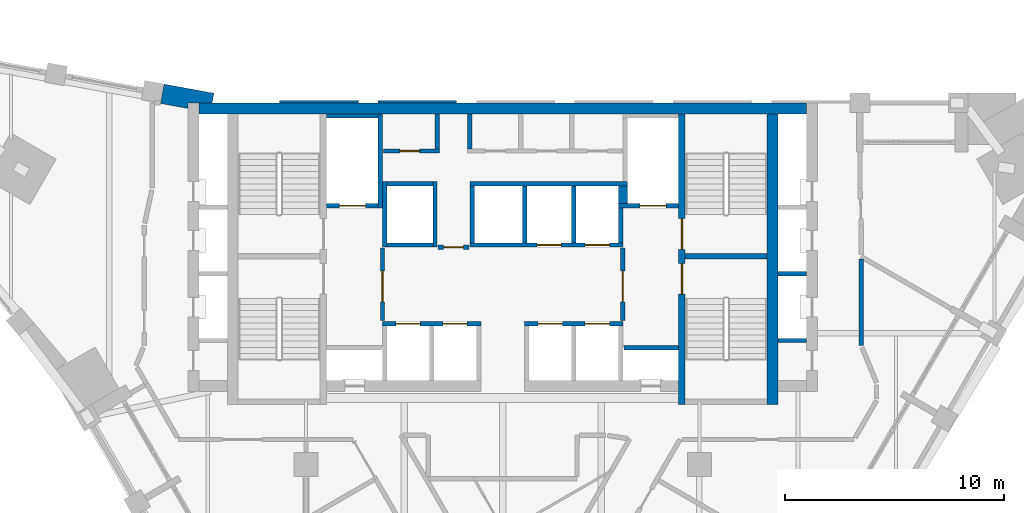
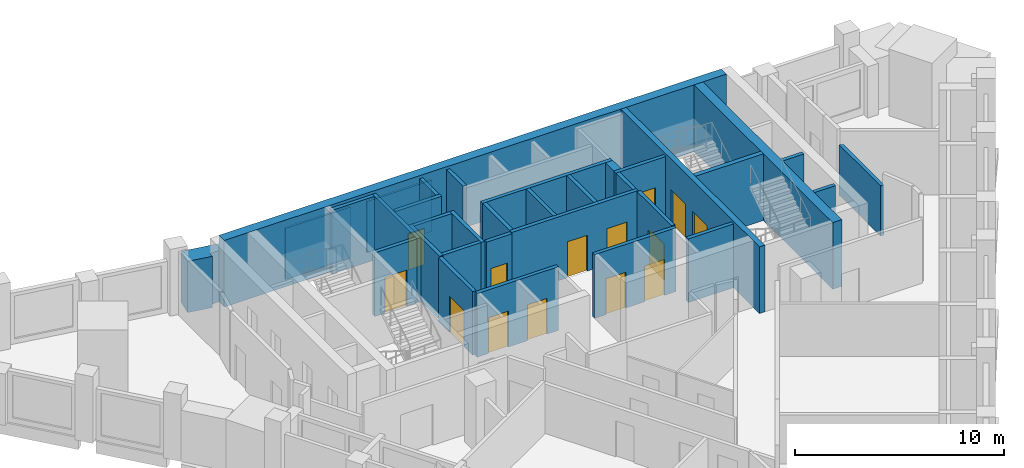
# One storey, part 6 of 9: 34 walls, 14 doors, 14 openings.
"""IFC4 building model written with IfcOpenShell, lengths in metres."""

from ifc_helpers import new_model, si_unit, direction, frame, frame_2d, origin, place, context, subcontext, project, spatial, polyline, rectangle, outline, extrude, material, layer, layer_set, type_object, element, fill, save


model = new_model("IFC4")

# Units and contexts
model_context = context("Model", 3, precision=1e-05, world=origin(), true_north=direction((0.0, 1.0)))
body_context = subcontext(model_context, "Body", "Model", "MODEL_VIEW")
ifc_project = project(units=[si_unit("LENGTHUNIT", "METRE"), si_unit("AREAUNIT", "SQUARE_METRE"), si_unit("VOLUMEUNIT", "CUBIC_METRE"), si_unit("PLANEANGLEUNIT", "RADIAN"), si_unit("MASSUNIT", "GRAM", prefix="KILO")], contexts=[model_context])

# Site, building, storey
site_placement = place(None, origin())
site = spatial("IfcSite", under=ifc_project, at=site_placement, CompositionType="ELEMENT")
building_placement = place(site_placement, origin())
building = spatial("IfcBuilding", under=site, at=building_placement, Name="Calabash Gate Tower", CompositionType="ELEMENT")
storey_placement = place(building_placement, frame((0.0, 0.0, 227.60009765625)))
storey = spatial("IfcBuildingStorey", under=building, at=storey_placement, Name="L54", CompositionType="ELEMENT", Elevation=227.60009765625)

# Walls
ifc_material_1 = material(Name="Terracotta brick masonry, exposed face", Category="masonry")
ifc_layer_1 = layer(ifc_material_1, 0.89990234375)
ifc_layer_set_1 = layer_set([ifc_layer_1], Name="Brick end wall 900")
wall_type_1 = type_object("IfcWallType", Name="Brick end wall 900", PredefinedType="SOLIDWALL", material=ifc_layer_set_1)
wall_1_placement = place(storey_placement, origin())
element("IfcWall", 1, at=wall_1_placement, inside=storey, type_object=wall_type_1, Name="Brick end wall S15 1", PredefinedType="SOLIDWALL", context=body_context, shape_type="SweptSolid", body=[
    extrude(outline(polyline([(-15.651611328125, 19.02734375), (-15.65185546875, 19.027099609375), (-14.39990234375, 18.798095703125), (-14.39990234375, 19.052490234375), (-13.291015625, 19.052490234375), (-13.2099609375, 19.4951171875), (-15.489501953125, 19.912353515625), (-15.6513671875, 19.02734375), (-15.651611328125, 19.02734375)])), origin(), (0.0, 0.0, 1.0), 3.0),
])
ifc_material_2 = material(Name="Gypsum board on steel studs, mineral wool", Category="steel")
ifc_layer_2 = layer(ifc_material_2, 0.199951171875)
ifc_layer_set_2 = layer_set([ifc_layer_2], Name="Core partition 200 gypsum board")
wall_type_2 = type_object("IfcWallType", Name="Core partition 200 gypsum board", PredefinedType="PARTITIONING", material=ifc_layer_set_2)
for number, where, z_axis, x_axis, name in (
    (2, (-3.0, 16.95263671875, 0.0), (0.0, 0.0, 1.0), (0.0, 1.0, 0.0), "Core partition"),
    (3, (-1.5, 16.95263671875, 0.0), (0.0, 0.0, 1.0), (0.0, 1.0, 0.0), "Core partition"),
):
    element("IfcWall", number, at=place(storey_placement, frame(where, z_axis=z_axis, x_axis=x_axis)), inside=storey, type_object=wall_type_2, Name=name, PredefinedType="PARTITIONING", context=body_context, shape_type="SweptSolid", body=[
        extrude(rectangle(XDim=1.599853515625, YDim=0.199951171875, at=frame_2d((0.7998046875, 0.0))), origin(), (0.0, 0.0, 1.0), 3.72998046875),
    ])
ifc_material_3 = material(Name="Concrete C70/85", Category="concrete")
ifc_layer_3 = layer(ifc_material_3, 0.25)
ifc_layer_set_3 = layer_set([ifc_layer_3], Name="Core wall 250 Concrete C70/85")
wall_type_3 = type_object("IfcWallType", Name="Core wall 250 Concrete C70/85", PredefinedType="SHEAR", material=ifc_layer_set_3)
wall_2_placement = place(storey_placement, frame((8.35009765625, 12.027587890625, 0.0), z_axis=(0.0, 0.0, 1.0), x_axis=(1.0, 0.0, 0.0)))
element("IfcWall", 4, at=wall_2_placement, inside=storey, type_object=wall_type_3, Name="Core wall Z4-MIDE L54", PredefinedType="SHEAR", context=body_context, shape_type="SweptSolid", body=[
    extrude(rectangle(XDim=3.75, YDim=0.25, at=frame_2d((1.875, 0.0))), origin(), (0.0, 0.0, 1.0), 3.89990234375),
])

# Wall, openings, doors
ifc_material_4 = material(Name="Concrete C70/85", Category="concrete")
ifc_layer_4 = layer(ifc_material_4, 0.300048828125)
ifc_layer_set_4 = layer_set([ifc_layer_4], Name="Core wall 300 Concrete C70/85")
wall_type_4 = type_object("IfcWallType", Name="Core wall 300 Concrete C70/85", PredefinedType="SHEAR", material=ifc_layer_set_4)
wall_3_placement = place(storey_placement, frame((8.199951171875, 5.252685546875, 0.0), z_axis=(0.0, 0.0, 1.0), x_axis=(0.0, 1.0, 0.0)))
wall_3 = element("IfcWall", 5, at=wall_3_placement, inside=storey, type_object=wall_type_4, Name="Core wall Z4-PARTE L54", PredefinedType="SHEAR", context=body_context, shape_type="SweptSolid", body=[
    extrude(rectangle(XDim=13.2998046875, YDim=0.300048828125, at=frame_2d((6.64990234375, 0.0))), origin(), (0.0, 0.0, 1.0), 3.89990234375),
])
opening_1_placement = place(wall_3_placement, frame((7.10009765625, 0.0, 0.0)))
opening_1 = element("IfcOpeningElement", 6, at=opening_1_placement, cuts=wall_3, Name="Opening O7-020", PredefinedType="OPENING", context=body_context, shape_type="SweptSolid", body=[
    extrude(rectangle(XDim=1.39990234375, YDim=2.10009765625, at=frame_2d((0.699951171875, 1.050048828125))), frame((0.0, 0.159912109375, 0.0), z_axis=(0.0, -1.0, 0.0), x_axis=(1.0, 0.0, 0.0)), (0.0, 0.0, 1.0), 0.320068359375),
])
opening_2_placement = place(wall_3_placement, frame((5.050048828125, 0.0, 0.0)))
opening_2 = element("IfcOpeningElement", 7, at=opening_2_placement, cuts=wall_3, Name="Opening O7-021", PredefinedType="OPENING", context=body_context, shape_type="SweptSolid", body=[
    extrude(rectangle(XDim=1.39990234375, YDim=2.10009765625, at=frame_2d((0.699951171875, 1.050048828125))), frame((0.0, 0.159912109375, 0.0), z_axis=(0.0, -1.0, 0.0), x_axis=(1.0, 0.0, 0.0)), (0.0, 0.0, 1.0), 0.320068359375),
])
ifc_material_5 = material(Name="Steel fire door set with fire-resisting glazing", Category="steel")
door_type_1 = type_object("IfcDoorType", Name="Fire door D05 1400x2100 FD90", OperationType="NOTDEFINED", PredefinedType="DOOR", material=ifc_material_5)
door_1_placement = place(opening_1_placement, origin())
door_1 = element("IfcDoor", 8, at=door_1_placement, inside=storey, type_object=door_type_1, Name="Exit stair door ST3", OperationType="SINGLE_SWING_RIGHT", OverallHeight=2.10009765625, OverallWidth=1.39990234375, PredefinedType="DOOR", context=body_context, shape_type="SweptSolid", body=[
    extrude(rectangle(XDim=1.39990234375, YDim=2.10009765625, at=frame_2d((0.699951171875, 1.050048828125))), frame((0.0, 0.02490234375, 0.0), z_axis=(0.0, -1.0, 0.0), x_axis=(1.0, 0.0, 0.0)), (0.0, 0.0, 1.0), 0.050048828125),
])
fill(opening_1, door_1)
door_2_placement = place(opening_2_placement, origin())
door_2 = element("IfcDoor", 9, at=door_2_placement, inside=storey, type_object=door_type_1, Name="Exit stair door ST4", OperationType="SINGLE_SWING_LEFT", OverallHeight=2.10009765625, OverallWidth=1.39990234375, PredefinedType="DOOR", context=body_context, shape_type="SweptSolid", body=[
    extrude(rectangle(XDim=1.39990234375, YDim=2.10009765625, at=frame_2d((0.699951171875, 1.050048828125))), frame((0.0, 0.02490234375, 0.0), z_axis=(0.0, -1.0, 0.0), x_axis=(1.0, 0.0, 0.0)), (0.0, 0.0, 1.0), 0.050048828125),
])
fill(opening_2, door_2)

# Walls
ifc_material_6 = material(Name="Concrete C70/85", Category="concrete")
ifc_layer_5 = layer(ifc_material_6, 0.5)
ifc_layer_set_5 = layer_set([ifc_layer_5], Name="Core wall 500 Concrete C70/85")
wall_type_5 = type_object("IfcWallType", Name="Core wall 500 Concrete C70/85", PredefinedType="SHEAR", material=ifc_layer_set_5)
wall_4_placement = place(storey_placement, frame((-13.89990234375, 18.802490234375, 0.0), z_axis=(0.0, 0.0, 1.0), x_axis=(1.0, 0.0, 0.0)))
element("IfcWall", 10, at=wall_4_placement, inside=storey, type_object=wall_type_5, Name="Core wall Z4-N L54", PredefinedType="SHEAR", context=body_context, shape_type="SweptSolid", body=[
    extrude(rectangle(XDim=27.7998046875, YDim=0.5, at=frame_2d((13.89990234375, 0.0))), origin(), (0.0, 0.0, 1.0), 3.89990234375),
])
wall_5_placement = place(storey_placement, frame((12.35009765625, 5.252685546875, 0.0), z_axis=(0.0, 0.0, 1.0), x_axis=(0.0, 1.0, 0.0)))
element("IfcWall", 11, at=wall_5_placement, inside=storey, type_object=wall_type_5, Name="Core wall Z4-COLE L54", PredefinedType="SHEAR", context=body_context, shape_type="SweptSolid", body=[
    extrude(rectangle(XDim=13.2998046875, YDim=0.5, at=frame_2d((6.64990234375, 0.0))), origin(), (0.0, 0.0, 1.0), 3.89990234375),
])
ifc_material_7 = material(Name="Gypsum board on steel studs, mineral wool", Category="steel")
ifc_layer_6 = layer(ifc_material_7, 0.199951171875)
ifc_layer_set_6 = layer_set([ifc_layer_6], Name="Partition 200 gypsum board EI 60")
wall_type_6 = type_object("IfcWallType", Name="Partition 200 gypsum board EI 60", PredefinedType="PARTITIONING", material=ifc_layer_set_6)
wall_6_placement = place(storey_placement, frame((16.400390625, 7.95263671875, 0.0), z_axis=(0.0, 0.0, 1.0), x_axis=(0.00043151272, 0.999999906898, 0.0)))
element("IfcWall", 12, at=wall_6_placement, inside=storey, type_object=wall_type_6, Name="Partition", PredefinedType="PARTITIONING", context=body_context, shape_type="SweptSolid", body=[
    extrude(rectangle(XDim=3.96044921875, YDim=0.199951171875, at=frame_2d((1.980224609375, 0.0))), origin(), (0.0, 0.0, 1.0), 2.949951171875),
])
ifc_material_8 = material(Name="Concrete C40/50", Category="concrete")
ifc_layer_7 = layer(ifc_material_8, 0.199951171875)
ifc_layer_set_7 = layer_set([ifc_layer_7], Name="Shaft wall 200 Concrete C40/50")
wall_type_7 = type_object("IfcWallType", Name="Shaft wall 200 Concrete C40/50", PredefinedType="SOLIDWALL", material=ifc_layer_set_7)
wall_7_placement = place(storey_placement, frame((5.550048828125, 7.8525390625, 0.0), z_axis=(0.0, 0.0, 1.0), x_axis=(1.0, 0.0, 0.0)))
element("IfcWall", 13, at=wall_7_placement, inside=storey, type_object=wall_type_7, Name="Shaft wall", PredefinedType="SOLIDWALL", context=body_context, shape_type="SweptSolid", body=[
    extrude(rectangle(XDim=2.5, YDim=0.199951171875, at=frame_2d((1.25, 0.0))), origin(), (0.0, 0.0, 1.0), 3.72998046875),
])
wall_8_placement = place(storey_placement, frame((12.60009765625, 8.1826171875, 0.0), z_axis=(0.0, 0.0, 1.0), x_axis=(1.0, 0.0, 0.0)))
element("IfcWall", 14, at=wall_8_placement, inside=storey, type_object=wall_type_7, Name="Shaft wall", PredefinedType="SOLIDWALL", context=body_context, shape_type="SweptSolid", body=[
    extrude(rectangle(XDim=1.2998046875, YDim=0.199951171875, at=frame_2d((0.64990234375, 0.0))), origin(), (0.0, 0.0, 1.0), 3.72998046875),
])

# Wall, openings, doors
wall_9_placement = place(storey_placement, frame((-5.5, 8.95263671875, 0.0), z_axis=(0.0, 0.0, 1.0), x_axis=(1.0, 0.0, 0.0)))
wall_9 = element("IfcWall", 15, at=wall_9_placement, inside=storey, type_object=wall_type_7, Name="Shaft wall", PredefinedType="SOLIDWALL", context=body_context, shape_type="SweptSolid", body=[
    extrude(rectangle(XDim=4.5, YDim=0.199951171875, at=frame_2d((2.25, 0.0))), origin(), (0.0, 0.0, 1.0), 3.72998046875),
])
opening_3_placement = place(wall_9_placement, frame((0.625, 0.0, 0.0)))
opening_3 = element("IfcOpeningElement", 16, at=opening_3_placement, cuts=wall_9, Name="Opening LD-HR1", PredefinedType="OPENING", context=body_context, shape_type="SweptSolid", body=[
    extrude(rectangle(XDim=1.10009765625, YDim=2.10009765625, at=frame_2d((0.550048828125, 1.050048828125))), frame((0.0, 0.10986328125, 0.0), z_axis=(0.0, -1.0, 0.0), x_axis=(1.0, 0.0, 0.0)), (0.0, 0.0, 1.0), 0.219970703125),
])
opening_4_placement = place(wall_9_placement, frame((2.77490234375, 0.0, 0.0)))
opening_4 = element("IfcOpeningElement", 17, at=opening_4_placement, cuts=wall_9, Name="Opening LD-HR2", PredefinedType="OPENING", context=body_context, shape_type="SweptSolid", body=[
    extrude(rectangle(XDim=1.10009765625, YDim=2.10009765625, at=frame_2d((0.550048828125, 1.050048828125))), frame((0.0, 0.10986328125, 0.0), z_axis=(0.0, -1.0, 0.0), x_axis=(1.0, 0.0, 0.0)), (0.0, 0.0, 1.0), 0.219970703125),
])
ifc_material_9 = material(Name="Stainless steel sliding door leaves", Category="steel")
door_type_2 = type_object("IfcDoorType", Name="Lift landing door LS1 1100x2100 FD90", OperationType="DOUBLE_DOOR_SLIDING", PredefinedType="DOOR", material=ifc_material_9)
door_3_placement = place(opening_3_placement, origin())
door_3 = element("IfcDoor", 18, at=door_3_placement, inside=storey, type_object=door_type_2, Name="Lift landing door HR1", OperationType="DOUBLE_DOOR_SLIDING", OverallHeight=2.10009765625, OverallWidth=1.10009765625, PredefinedType="DOOR", context=body_context, shape_type="SweptSolid", body=[
    extrude(rectangle(XDim=1.10009765625, YDim=2.10009765625, at=frame_2d((0.550048828125, 1.050048828125))), frame((0.0, 0.02490234375, 0.0), z_axis=(0.0, -1.0, 0.0), x_axis=(1.0, 0.0, 0.0)), (0.0, 0.0, 1.0), 0.050048828125),
])
fill(opening_3, door_3)
door_4_placement = place(opening_4_placement, origin())
door_4 = element("IfcDoor", 19, at=door_4_placement, inside=storey, type_object=door_type_2, Name="Lift landing door HR2", OperationType="DOUBLE_DOOR_SLIDING", OverallHeight=2.10009765625, OverallWidth=1.10009765625, PredefinedType="DOOR", context=body_context, shape_type="SweptSolid", body=[
    extrude(rectangle(XDim=1.10009765625, YDim=2.10009765625, at=frame_2d((0.550048828125, 1.050048828125))), frame((0.0, 0.02490234375, 0.0), z_axis=(0.0, -1.0, 0.0), x_axis=(1.0, 0.0, 0.0)), (0.0, 0.0, 1.0), 0.050048828125),
])
fill(opening_4, door_4)

wall_10_placement = place(storey_placement, frame((1.0, 8.95263671875, 0.0), z_axis=(0.0, 0.0, 1.0), x_axis=(1.0, 0.0, 0.0)))
wall_10 = element("IfcWall", 20, at=wall_10_placement, inside=storey, type_object=wall_type_7, Name="Shaft wall", PredefinedType="SOLIDWALL", context=body_context, shape_type="SweptSolid", body=[
    extrude(rectangle(XDim=4.5, YDim=0.199951171875, at=frame_2d((2.25, 0.0))), origin(), (0.0, 0.0, 1.0), 3.72998046875),
])
opening_5_placement = place(wall_10_placement, frame((0.625, 0.0, 0.0)))
opening_5 = element("IfcOpeningElement", 21, at=opening_5_placement, cuts=wall_10, Name="Opening LD-HR3", PredefinedType="OPENING", context=body_context, shape_type="SweptSolid", body=[
    extrude(rectangle(XDim=1.10009765625, YDim=2.10009765625, at=frame_2d((0.550048828125, 1.050048828125))), frame((0.0, 0.10986328125, 0.0), z_axis=(0.0, -1.0, 0.0), x_axis=(1.0, 0.0, 0.0)), (0.0, 0.0, 1.0), 0.219970703125),
])
opening_6_placement = place(wall_10_placement, frame((2.77490234375, 0.0, 0.0)))
opening_6 = element("IfcOpeningElement", 22, at=opening_6_placement, cuts=wall_10, Name="Opening LD-HR4", PredefinedType="OPENING", context=body_context, shape_type="SweptSolid", body=[
    extrude(rectangle(XDim=1.10009765625, YDim=2.10009765625, at=frame_2d((0.550048828125, 1.050048828125))), frame((0.0, 0.10986328125, 0.0), z_axis=(0.0, -1.0, 0.0), x_axis=(1.0, 0.0, 0.0)), (0.0, 0.0, 1.0), 0.219970703125),
])
door_5_placement = place(opening_5_placement, origin())
door_5 = element("IfcDoor", 23, at=door_5_placement, inside=storey, type_object=door_type_2, Name="Lift landing door HR3", OperationType="DOUBLE_DOOR_SLIDING", OverallHeight=2.10009765625, OverallWidth=1.10009765625, PredefinedType="DOOR", context=body_context, shape_type="SweptSolid", body=[
    extrude(rectangle(XDim=1.10009765625, YDim=2.10009765625, at=frame_2d((0.550048828125, 1.050048828125))), frame((0.0, 0.02490234375, 0.0), z_axis=(0.0, -1.0, 0.0), x_axis=(1.0, 0.0, 0.0)), (0.0, 0.0, 1.0), 0.050048828125),
])
fill(opening_5, door_5)
door_6_placement = place(opening_6_placement, origin())
door_6 = element("IfcDoor", 24, at=door_6_placement, inside=storey, type_object=door_type_2, Name="Lift landing door HR4", OperationType="DOUBLE_DOOR_SLIDING", OverallHeight=2.10009765625, OverallWidth=1.10009765625, PredefinedType="DOOR", context=body_context, shape_type="SweptSolid", body=[
    extrude(rectangle(XDim=1.10009765625, YDim=2.10009765625, at=frame_2d((0.550048828125, 1.050048828125))), frame((0.0, 0.02490234375, 0.0), z_axis=(0.0, -1.0, 0.0), x_axis=(1.0, 0.0, 0.0)), (0.0, 0.0, 1.0), 0.050048828125),
])
fill(opening_6, door_6)

# Wall, opening, door
wall_11_placement = place(storey_placement, frame((-5.5, 9.1025390625, 0.0), z_axis=(0.0, 0.0, 1.0), x_axis=(0.0, 1.0, 0.0)))
wall_11 = element("IfcWall", 25, at=wall_11_placement, inside=storey, type_object=wall_type_7, Name="Shaft wall", PredefinedType="SOLIDWALL", context=body_context, shape_type="SweptSolid", body=[
    extrude(rectangle(XDim=3.300048828125, YDim=0.199951171875, at=frame_2d((1.64990234375, 0.0))), origin(), (0.0, 0.0, 1.0), 3.72998046875),
])
opening_7_placement = place(wall_11_placement, frame((0.85009765625, 0.0, 0.0)))
opening_7 = element("IfcOpeningElement", 26, at=opening_7_placement, cuts=wall_11, Name="Opening O7-011", PredefinedType="OPENING", context=body_context, shape_type="SweptSolid", body=[
    extrude(rectangle(XDim=1.39990234375, YDim=2.10009765625, at=frame_2d((0.699951171875, 1.050048828125))), frame((0.0, 0.10986328125, 0.0), z_axis=(0.0, -1.0, 0.0), x_axis=(1.0, 0.0, 0.0)), (0.0, 0.0, 1.0), 0.219970703125),
])
door_7_placement = place(opening_7_placement, origin())
door_7 = element("IfcDoor", 27, at=door_7_placement, inside=storey, type_object=door_type_1, Name="Firefighting Lobby W door", OperationType="SINGLE_SWING_RIGHT", OverallHeight=2.10009765625, OverallWidth=1.39990234375, PredefinedType="DOOR", context=body_context, shape_type="SweptSolid", body=[
    extrude(rectangle(XDim=1.39990234375, YDim=2.10009765625, at=frame_2d((0.699951171875, 1.050048828125))), frame((0.0, 0.02490234375, 0.0), z_axis=(0.0, -1.0, 0.0), x_axis=(1.0, 0.0, 0.0)), (0.0, 0.0, 1.0), 0.050048828125),
])
fill(opening_7, door_7)

wall_12_placement = place(storey_placement, frame((5.5, 9.1025390625, 0.0), z_axis=(0.0, 0.0, 1.0), x_axis=(0.0, 1.0, 0.0)))
wall_12 = element("IfcWall", 28, at=wall_12_placement, inside=storey, type_object=wall_type_7, Name="Shaft wall", PredefinedType="SOLIDWALL", context=body_context, shape_type="SweptSolid", body=[
    extrude(rectangle(XDim=3.300048828125, YDim=0.199951171875, at=frame_2d((1.64990234375, 0.0))), origin(), (0.0, 0.0, 1.0), 3.72998046875),
])
opening_8_placement = place(wall_12_placement, frame((0.85009765625, 0.0, 0.0)))
opening_8 = element("IfcOpeningElement", 29, at=opening_8_placement, cuts=wall_12, Name="Opening O7-010", PredefinedType="OPENING", context=body_context, shape_type="SweptSolid", body=[
    extrude(rectangle(XDim=1.39990234375, YDim=2.10009765625, at=frame_2d((0.699951171875, 1.050048828125))), frame((0.0, 0.10986328125, 0.0), z_axis=(0.0, -1.0, 0.0), x_axis=(1.0, 0.0, 0.0)), (0.0, 0.0, 1.0), 0.219970703125),
])
door_8_placement = place(opening_8_placement, origin())
door_8 = element("IfcDoor", 30, at=door_8_placement, inside=storey, type_object=door_type_1, Name="Firefighting Lobby E door", OperationType="SINGLE_SWING_LEFT", OverallHeight=2.10009765625, OverallWidth=1.39990234375, PredefinedType="DOOR", context=body_context, shape_type="SweptSolid", body=[
    extrude(rectangle(XDim=1.39990234375, YDim=2.10009765625, at=frame_2d((0.699951171875, 1.050048828125))), frame((0.0, 0.02490234375, 0.0), z_axis=(0.0, -1.0, 0.0), x_axis=(1.0, 0.0, 0.0)), (0.0, 0.0, 1.0), 0.050048828125),
])
fill(opening_8, door_8)

# Wall
wall_13_placement = place(storey_placement, frame((12.60009765625, 11.232666015625, 0.0), z_axis=(0.0, 0.0, 1.0), x_axis=(1.0, 0.0, 0.0)))
element("IfcWall", 31, at=wall_13_placement, inside=storey, type_object=wall_type_7, Name="Shaft wall", PredefinedType="SOLIDWALL", context=body_context, shape_type="SweptSolid", body=[
    extrude(rectangle(XDim=1.2998046875, YDim=0.199951171875, at=frame_2d((0.64990234375, 0.0))), origin(), (0.0, 0.0, 1.0), 3.72998046875),
])

# Wall, opening, door
wall_14_placement = place(storey_placement, frame((-2.949951171875, 12.45263671875, 0.0), z_axis=(0.0, 0.0, 1.0), x_axis=(1.0, 0.0, 0.0)))
wall_14 = element("IfcWall", 32, at=wall_14_placement, inside=storey, type_object=wall_type_7, Name="Shaft wall", PredefinedType="SOLIDWALL", context=body_context, shape_type="SweptSolid", body=[
    extrude(rectangle(XDim=1.39990234375, YDim=0.199951171875, at=frame_2d((0.699951171875, 0.0))), origin(), (0.0, 0.0, 1.0), 3.72998046875),
])
opening_9_placement = place(wall_14_placement, frame((0.25, 0.0, 0.0)))
opening_9 = element("IfcOpeningElement", 33, at=opening_9_placement, cuts=wall_14, Name="Opening O7-009", PredefinedType="OPENING", context=body_context, shape_type="SweptSolid", body=[
    extrude(rectangle(XDim=0.89990234375, YDim=2.10009765625, at=frame_2d((0.449951171875, 1.050048828125))), frame((0.0, 0.10986328125, 0.0), z_axis=(0.0, -1.0, 0.0), x_axis=(1.0, 0.0, 0.0)), (0.0, 0.0, 1.0), 0.219970703125),
])
ifc_material_10 = material(Name="Steel fire door set with fire-resisting glazing", Category="steel")
door_type_3 = type_object("IfcDoorType", Name="Fire door D06 900x2100 FD60", OperationType="NOTDEFINED", PredefinedType="DOOR", material=ifc_material_10)
door_9_placement = place(opening_9_placement, origin())
door_9 = element("IfcDoor", 34, at=door_9_placement, inside=storey, type_object=door_type_3, Name="Service Corridor door", OperationType="SINGLE_SWING_RIGHT", OverallHeight=2.10009765625, OverallWidth=0.89990234375, PredefinedType="DOOR", context=body_context, shape_type="SweptSolid", body=[
    extrude(rectangle(XDim=0.89990234375, YDim=2.10009765625, at=frame_2d((0.449951171875, 1.050048828125))), frame((0.0, 0.02490234375, 0.0), z_axis=(0.0, -1.0, 0.0), x_axis=(1.0, 0.0, 0.0)), (0.0, 0.0, 1.0), 0.050048828125),
])
fill(opening_9, door_9)

# Walls
wall_15_placement = place(storey_placement, frame((-5.39990234375, 12.45263671875, 0.0), z_axis=(0.0, 0.0, 1.0), x_axis=(0.0, 1.0, 0.0)))
element("IfcWall", 35, at=wall_15_placement, inside=storey, type_object=wall_type_7, Name="Shaft wall", PredefinedType="SOLIDWALL", context=body_context, shape_type="SweptSolid", body=[
    extrude(rectangle(XDim=3.0, YDim=0.199951171875, at=frame_2d((1.5, 0.0))), origin(), (0.0, 0.0, 1.0), 3.72998046875),
])
wall_16_placement = place(storey_placement, frame((-5.300048828125, 12.552490234375, 0.0), z_axis=(0.0, 0.0, 1.0), x_axis=(1.0, 0.0, 0.0)))
element("IfcWall", 36, at=wall_16_placement, inside=storey, type_object=wall_type_7, Name="Shaft wall", PredefinedType="SOLIDWALL", context=body_context, shape_type="SweptSolid", body=[
    extrude(rectangle(XDim=2.10009765625, YDim=0.199951171875, at=frame_2d((1.050048828125, 0.0))), origin(), (0.0, 0.0, 1.0), 3.72998046875),
])
wall_17_placement = place(storey_placement, frame((-3.10009765625, 12.45263671875, 0.0), z_axis=(0.0, 0.0, 1.0), x_axis=(0.0, 1.0, 0.0)))
element("IfcWall", 37, at=wall_17_placement, inside=storey, type_object=wall_type_7, Name="Shaft wall", PredefinedType="SOLIDWALL", context=body_context, shape_type="SweptSolid", body=[
    extrude(rectangle(XDim=3.0, YDim=0.199951171875, at=frame_2d((1.5, 0.0))), origin(), (0.0, 0.0, 1.0), 3.72998046875),
])

# Wall, openings, doors
wall_18_placement = place(storey_placement, frame((-1.5, 12.552490234375, 0.0), z_axis=(0.0, 0.0, 1.0), x_axis=(1.0, 0.0, 0.0)))
wall_18 = element("IfcWall", 38, at=wall_18_placement, inside=storey, type_object=wall_type_7, Name="Shaft wall", PredefinedType="SOLIDWALL", context=body_context, shape_type="SweptSolid", body=[
    extrude(rectangle(XDim=7.0, YDim=0.199951171875, at=frame_2d((3.5, 0.0))), origin(), (0.0, 0.0, 1.0), 3.72998046875),
])
opening_10_placement = place(wall_18_placement, frame((3.074951171875, 0.0, 0.0)))
opening_10 = element("IfcOpeningElement", 39, at=opening_10_placement, cuts=wall_18, Name="Opening LD-HR5", PredefinedType="OPENING", context=body_context, shape_type="SweptSolid", body=[
    extrude(rectangle(XDim=1.10009765625, YDim=2.10009765625, at=frame_2d((0.550048828125, 1.050048828125))), frame((0.0, 0.10986328125, 0.0), z_axis=(0.0, -1.0, 0.0), x_axis=(1.0, 0.0, 0.0)), (0.0, 0.0, 1.0), 0.219970703125),
])
opening_11_placement = place(wall_18_placement, frame((5.27490234375, 0.0, 0.0)))
opening_11 = element("IfcOpeningElement", 40, at=opening_11_placement, cuts=wall_18, Name="Opening LD-HR6", PredefinedType="OPENING", context=body_context, shape_type="SweptSolid", body=[
    extrude(rectangle(XDim=1.10009765625, YDim=2.10009765625, at=frame_2d((0.550048828125, 1.050048828125))), frame((0.0, 0.10986328125, 0.0), z_axis=(0.0, -1.0, 0.0), x_axis=(1.0, 0.0, 0.0)), (0.0, 0.0, 1.0), 0.219970703125),
])
door_10_placement = place(opening_10_placement, origin())
door_10 = element("IfcDoor", 41, at=door_10_placement, inside=storey, type_object=door_type_2, Name="Lift landing door HR5", OperationType="DOUBLE_DOOR_SLIDING", OverallHeight=2.10009765625, OverallWidth=1.10009765625, PredefinedType="DOOR", context=body_context, shape_type="SweptSolid", body=[
    extrude(rectangle(XDim=1.10009765625, YDim=2.10009765625, at=frame_2d((0.550048828125, 1.050048828125))), frame((0.0, 0.02490234375, 0.0), z_axis=(0.0, -1.0, 0.0), x_axis=(1.0, 0.0, 0.0)), (0.0, 0.0, 1.0), 0.050048828125),
])
fill(opening_10, door_10)
door_11_placement = place(opening_11_placement, origin())
door_11 = element("IfcDoor", 42, at=door_11_placement, inside=storey, type_object=door_type_2, Name="Lift landing door HR6", OperationType="DOUBLE_DOOR_SLIDING", OverallHeight=2.10009765625, OverallWidth=1.10009765625, PredefinedType="DOOR", context=body_context, shape_type="SweptSolid", body=[
    extrude(rectangle(XDim=1.10009765625, YDim=2.10009765625, at=frame_2d((0.550048828125, 1.050048828125))), frame((0.0, 0.02490234375, 0.0), z_axis=(0.0, -1.0, 0.0), x_axis=(1.0, 0.0, 0.0)), (0.0, 0.0, 1.0), 0.050048828125),
])
fill(opening_11, door_11)

# Walls
for number, where, z_axis, x_axis, name in (
    (43, (-1.39990234375, 12.652587890625, 0.0), (0.0, 0.0, 1.0), (0.0, 1.0, 0.0), "Shaft wall"),
    (44, (1.0, 12.652587890625, 0.0), (0.0, 0.0, 1.0), (0.0, 1.0, 0.0), "Shaft wall"),
    (45, (3.25, 12.652587890625, 0.0), (0.0, 0.0, 1.0), (0.0, 1.0, 0.0), "Shaft wall"),
):
    element("IfcWall", number, at=place(storey_placement, frame(where, z_axis=z_axis, x_axis=x_axis)), inside=storey, type_object=wall_type_7, Name=name, PredefinedType="SOLIDWALL", context=body_context, shape_type="SweptSolid", body=[
        extrude(rectangle(XDim=2.60009765625, YDim=0.199951171875, at=frame_2d((1.300048828125, 0.0))), origin(), (0.0, 0.0, 1.0), 3.72998046875),
    ])
wall_19_placement = place(storey_placement, frame((5.39990234375, 12.652587890625, 0.0), z_axis=(0.0, 0.0, 1.0), x_axis=(0.0, 1.0, 0.0)))
element("IfcWall", 46, at=wall_19_placement, inside=storey, type_object=wall_type_7, Name="Shaft wall", PredefinedType="SOLIDWALL", context=body_context, shape_type="SweptSolid", body=[
    extrude(rectangle(XDim=1.60009765625, YDim=0.199951171875, at=frame_2d((0.800048828125, 0.0))), origin(), (0.0, 0.0, 1.0), 3.72998046875),
])

# Wall, opening, door
wall_20_placement = place(storey_placement, frame((-8.050048828125, 14.3525390625, 0.0), z_axis=(0.0, 0.0, 1.0), x_axis=(1.0, 0.0, 0.0)))
wall_20 = element("IfcWall", 47, at=wall_20_placement, inside=storey, type_object=wall_type_7, Name="Shaft wall", PredefinedType="SOLIDWALL", context=body_context, shape_type="SweptSolid", body=[
    extrude(rectangle(XDim=2.35009765625, YDim=0.199951171875, at=frame_2d((1.175048828125, 0.0))), origin(), (0.0, 0.0, 1.0), 3.72998046875),
])
opening_12_placement = place(wall_20_placement, frame((0.574951171875, 0.0, 0.0)))
opening_12 = element("IfcOpeningElement", 48, at=opening_12_placement, cuts=wall_20, Name="Opening LD-FF1", PredefinedType="OPENING", context=body_context, shape_type="SweptSolid", body=[
    extrude(rectangle(XDim=1.199951171875, YDim=2.10009765625, at=frame_2d((0.60009765625, 1.050048828125))), frame((0.0, 0.10986328125, 0.0), z_axis=(0.0, -1.0, 0.0), x_axis=(1.0, 0.0, 0.0)), (0.0, 0.0, 1.0), 0.219970703125),
])
ifc_material_11 = material(Name="Stainless steel sliding door leaves", Category="steel")
door_type_4 = type_object("IfcDoorType", Name="Lift landing door LS3 1200x2100 FD90", OperationType="DOUBLE_DOOR_SLIDING", PredefinedType="DOOR", material=ifc_material_11)
door_12_placement = place(opening_12_placement, origin())
door_12 = element("IfcDoor", 49, at=door_12_placement, inside=storey, type_object=door_type_4, Name="Lift landing door FF1", OperationType="DOUBLE_DOOR_SLIDING", OverallHeight=2.10009765625, OverallWidth=1.199951171875, PredefinedType="DOOR", context=body_context, shape_type="SweptSolid", body=[
    extrude(rectangle(XDim=1.199951171875, YDim=2.10009765625, at=frame_2d((0.60009765625, 1.050048828125))), frame((0.0, 0.02490234375, 0.0), z_axis=(0.0, -1.0, 0.0), x_axis=(1.0, 0.0, 0.0)), (0.0, 0.0, 1.0), 0.050048828125),
])
fill(opening_12, door_12)

# Wall
wall_21_placement = place(storey_placement, frame((-5.60009765625, 14.252685546875, 0.0), z_axis=(0.0, 0.0, 1.0), x_axis=(0.0, 1.0, 0.0)))
element("IfcWall", 50, at=wall_21_placement, inside=storey, type_object=wall_type_7, Name="Shaft wall", PredefinedType="SOLIDWALL", context=body_context, shape_type="SweptSolid", body=[
    extrude(rectangle(XDim=4.2998046875, YDim=0.199951171875, at=frame_2d((2.14990234375, 0.0))), origin(), (0.0, 0.0, 1.0), 3.72998046875),
])

# Wall, opening, door
wall_22_placement = place(storey_placement, frame((5.300048828125, 14.3525390625, 0.0), z_axis=(0.0, 0.0, 1.0), x_axis=(1.0, 0.0, 0.0)))
wall_22 = element("IfcWall", 51, at=wall_22_placement, inside=storey, type_object=wall_type_7, Name="Shaft wall", PredefinedType="SOLIDWALL", context=body_context, shape_type="SweptSolid", body=[
    extrude(rectangle(XDim=2.75, YDim=0.199951171875, at=frame_2d((1.375, 0.0))), origin(), (0.0, 0.0, 1.0), 3.72998046875),
])
opening_13_placement = place(wall_22_placement, frame((0.97509765625, 0.0, 0.0)))
opening_13 = element("IfcOpeningElement", 52, at=opening_13_placement, cuts=wall_22, Name="Opening LD-FF2", PredefinedType="OPENING", context=body_context, shape_type="SweptSolid", body=[
    extrude(rectangle(XDim=1.199951171875, YDim=2.10009765625, at=frame_2d((0.60009765625, 1.050048828125))), frame((0.0, 0.10986328125, 0.0), z_axis=(0.0, -1.0, 0.0), x_axis=(1.0, 0.0, 0.0)), (0.0, 0.0, 1.0), 0.219970703125),
])
door_13_placement = place(opening_13_placement, origin())
door_13 = element("IfcDoor", 53, at=door_13_placement, inside=storey, type_object=door_type_4, Name="Lift landing door FF2", OperationType="DOUBLE_DOOR_SLIDING", OverallHeight=2.10009765625, OverallWidth=1.199951171875, PredefinedType="DOOR", context=body_context, shape_type="SweptSolid", body=[
    extrude(rectangle(XDim=1.199951171875, YDim=2.10009765625, at=frame_2d((0.60009765625, 1.050048828125))), frame((0.0, 0.02490234375, 0.0), z_axis=(0.0, -1.0, 0.0), x_axis=(1.0, 0.0, 0.0)), (0.0, 0.0, 1.0), 0.050048828125),
])
fill(opening_13, door_13)

# Walls
wall_23_placement = place(storey_placement, frame((5.5, 14.45263671875, 0.0), z_axis=(0.0, 0.0, 1.0), x_axis=(0.0, 1.0, 0.0)))
element("IfcWall", 54, at=wall_23_placement, inside=storey, type_object=wall_type_7, Name="Shaft wall", PredefinedType="SOLIDWALL", context=body_context, shape_type="SweptSolid", body=[
    extrude(rectangle(XDim=0.800048828125, YDim=0.39990234375, at=frame_2d((0.39990234375, 0.0))), origin(), (0.0, 0.0, 1.0), 3.72998046875),
])
wall_24_placement = place(storey_placement, frame((-5.300048828125, 15.3525390625, 0.0), z_axis=(0.0, 0.0, 1.0), x_axis=(1.0, 0.0, 0.0)))
element("IfcWall", 55, at=wall_24_placement, inside=storey, type_object=wall_type_7, Name="Shaft wall", PredefinedType="SOLIDWALL", context=body_context, shape_type="SweptSolid", body=[
    extrude(rectangle(XDim=2.10009765625, YDim=0.199951171875, at=frame_2d((1.050048828125, 0.0))), origin(), (0.0, 0.0, 1.0), 3.72998046875),
])
wall_25_placement = place(storey_placement, frame((-1.5, 15.3525390625, 0.0), z_axis=(0.0, 0.0, 1.0), x_axis=(1.0, 0.0, 0.0)))
element("IfcWall", 56, at=wall_25_placement, inside=storey, type_object=wall_type_7, Name="Shaft wall", PredefinedType="SOLIDWALL", context=body_context, shape_type="SweptSolid", body=[
    extrude(rectangle(XDim=7.199951171875, YDim=0.199951171875, at=frame_2d((3.60009765625, 0.0))), origin(), (0.0, 0.0, 1.0), 3.72998046875),
])

# Wall, opening, door
wall_26_placement = place(storey_placement, frame((-5.449951171875, 16.8525390625, 0.0), z_axis=(0.0, 0.0, 1.0), x_axis=(1.0, 0.0, 0.0)))
wall_26 = element("IfcWall", 57, at=wall_26_placement, inside=storey, type_object=wall_type_7, Name="Shaft wall", PredefinedType="SOLIDWALL", context=body_context, shape_type="SweptSolid", body=[
    extrude(rectangle(XDim=2.550048828125, YDim=0.199951171875, at=frame_2d((1.27490234375, 0.0))), origin(), (0.0, 0.0, 1.0), 3.72998046875),
])
opening_14_placement = place(wall_26_placement, frame((0.75, 0.0, 0.0)))
opening_14 = element("IfcOpeningElement", 58, at=opening_14_placement, cuts=wall_26, Name="Opening O7-012", PredefinedType="OPENING", context=body_context, shape_type="SweptSolid", body=[
    extrude(rectangle(XDim=0.89990234375, YDim=2.10009765625, at=frame_2d((0.449951171875, 1.050048828125))), frame((0.0, 0.10986328125, 0.0), z_axis=(0.0, -1.0, 0.0), x_axis=(1.0, 0.0, 0.0)), (0.0, 0.0, 1.0), 0.219970703125),
])
door_14_placement = place(opening_14_placement, origin())
door_14 = element("IfcDoor", 59, at=door_14_placement, inside=storey, type_object=door_type_3, Name="Accessible WC door", OperationType="SINGLE_SWING_LEFT", OverallHeight=2.10009765625, OverallWidth=0.89990234375, PredefinedType="DOOR", context=body_context, shape_type="SweptSolid", body=[
    extrude(rectangle(XDim=0.89990234375, YDim=2.10009765625, at=frame_2d((0.449951171875, 1.050048828125))), frame((0.0, 0.02490234375, 0.0), z_axis=(0.0, -1.0, 0.0), x_axis=(1.0, 0.0, 0.0)), (0.0, 0.0, 1.0), 0.050048828125),
])
fill(opening_14, door_14)

# Walls
wall_27_placement = place(storey_placement, frame((-8.050048828125, 18.45263671875, 0.0), z_axis=(0.0, 0.0, 1.0), x_axis=(1.0, 0.0, 0.0)))
element("IfcWall", 60, at=wall_27_placement, inside=storey, type_object=wall_type_7, Name="Shaft wall", PredefinedType="SOLIDWALL", context=body_context, shape_type="SweptSolid", body=[
    extrude(rectangle(XDim=2.35009765625, YDim=0.199951171875, at=frame_2d((1.175048828125, 0.0))), origin(), (0.0, 0.0, 1.0), 3.72998046875),
])
ifc_material_12 = material(Name="Terracotta brick masonry, perforated", Category="masonry")
ifc_layer_8 = layer(ifc_material_12, 0.1201171875)
ifc_layer_set_8 = layer_set([ifc_layer_8], Name="Terracotta jaali cladding A 120")
wall_type_8 = type_object("IfcWallType", Name="Terracotta jaali cladding A 120", PredefinedType="SOLIDWALL", material=ifc_layer_set_8)
wall_28_placement = place(storey_placement, origin())
element("IfcWall", 61, at=wall_28_placement, inside=storey, type_object=wall_type_8, Name="Jaali cladding S15 N4.7", PredefinedType="SOLIDWALL", context=body_context, shape_type="SweptSolid", body=[
    extrude(outline(polyline([(-10.2060546875, 19.172607421875), (-10.2060546875, 19.052490234375), (-6.606201171875, 19.052490234375), (-6.606201171875, 19.172607421875), (-10.2060546875, 19.172607421875)])), origin(), (0.0, 0.0, 1.0), 3.0),
])
ifc_material_13 = material(Name="Terracotta louvre blades in an aluminium frame", Category="masonry")
ifc_layer_9 = layer(ifc_material_13, 0.1201171875)
ifc_layer_set_9 = layer_set([ifc_layer_9], Name="Terracotta vent louvre cladding 120")
wall_type_9 = type_object("IfcWallType", Name="Terracotta vent louvre cladding 120", PredefinedType="ELEMENTEDWALL", material=ifc_layer_set_9)
wall_29_placement = place(storey_placement, origin())
element("IfcWall", 62, at=wall_29_placement, inside=storey, type_object=wall_type_9, Name="Vent louvre cladding S15 N4.6", PredefinedType="ELEMENTEDWALL", context=body_context, shape_type="SweptSolid", body=[
    extrude(outline(polyline([(-5.7060546875, 19.172607421875), (-5.7060546875, 19.052490234375), (-2.106201171875, 19.052490234375), (-2.106201171875, 19.172607421875), (-5.7060546875, 19.172607421875)])), origin(), (0.0, 0.0, 1.0), 3.0),
])

save(model, "model.ifc")
